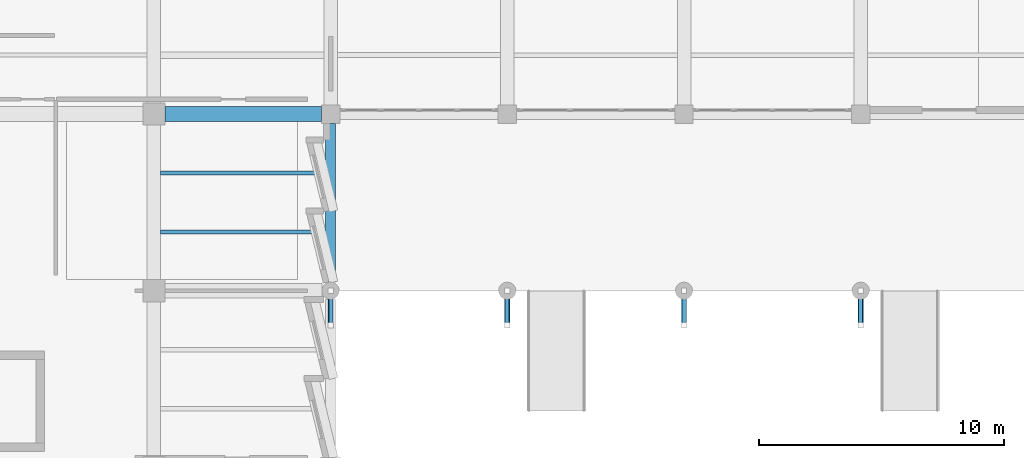
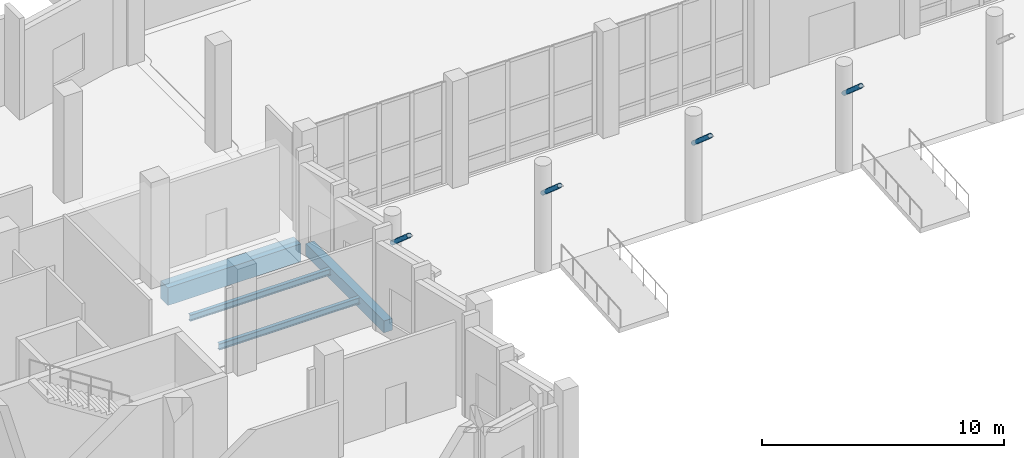
# One storey, part 9 of 137: 4 beams, 4 members.
"""IFC4 building model written with IfcOpenShell, lengths in metres."""

from ifc_helpers import new_model, si_unit, direction, frame, origin, origin_2d, place, context, subcontext, project, spatial, rectangle, hollow_circle, i_section, extrude, material, material_profile, profile_set, type_object, element, save


model = new_model("IFC4")

# Units and contexts
model_context = context("Model", 3, precision=1e-05, world=origin(), true_north=direction((0.0, 1.0)))
body_context = subcontext(model_context, "Body", "Model", "MODEL_VIEW")
ifc_project = project(units=[si_unit("LENGTHUNIT", "METRE"), si_unit("AREAUNIT", "SQUARE_METRE"), si_unit("VOLUMEUNIT", "CUBIC_METRE"), si_unit("PLANEANGLEUNIT", "RADIAN"), si_unit("MASSUNIT", "GRAM", prefix="KILO")], contexts=[model_context])

# Site, building, storey
site_placement = place(None, origin())
site = spatial("IfcSite", under=ifc_project, at=site_placement, CompositionType="ELEMENT")
building_placement = place(site_placement, origin())
building = spatial("IfcBuilding", under=site, at=building_placement, Name="Kalmorath City Hall", CompositionType="ELEMENT")
storey_placement = place(building_placement, origin())
storey = spatial("IfcBuildingStorey", under=building, at=storey_placement, Name="L00", CompositionType="ELEMENT", Elevation=0.0)

# Beams
ifc_material_1 = material(Name="Concrete C40/50", Category="concrete")
ifc_material_profile_1 = material_profile(ifc_material_1, rectangle(XDim=0.39990234375, YDim=0.60009765625, at=origin_2d()), Name="RC-BM-400X600")
ifc_profile_set_1 = profile_set([ifc_material_profile_1], Name="Concrete C40/50")
beam_type_1 = type_object("IfcBeamType", Name="Concrete edge beam 400x600", PredefinedType="SPANDREL", material=ifc_profile_set_1)
beam_1_placement = place(storey_placement, frame((36.0, 14.75, -0.60400390625), z_axis=(0.0, 1.0, 0.0), x_axis=(-1.0, 0.0, 0.0)))
element("IfcBeam", 1, at=beam_1_placement, inside=storey, type_object=beam_type_1, Name="L00 girder CB6 Y6/3-4", PredefinedType="SPANDREL", context=body_context, shape_type="SweptSolid", body=[
    extrude(rectangle(XDim=0.39990234375, YDim=0.60009765625, at=origin_2d()), origin(), (0.0, 0.0, 1.0), 6.47509765625),
])
ifc_material_2 = material(Name="Concrete C40/50", Category="concrete")
ifc_material_profile_2 = material_profile(ifc_material_2, rectangle(XDim=0.60009765625, YDim=0.89990234375, at=origin_2d()), Name="RC-BM-600X900")
ifc_profile_set_2 = profile_set([ifc_material_profile_2], Name="Concrete C40/50")
beam_type_2 = type_object("IfcBeamType", Name="Concrete floor girder 600x900", PredefinedType="BEAM", material=ifc_profile_set_2)
beam_2_placement = place(storey_placement, frame((29.25, 21.60009765625, -0.75390625), z_axis=(1.0, 0.0, 0.0), x_axis=(0.0, 1.0, 0.0)))
element("IfcBeam", 2, at=beam_2_placement, inside=storey, type_object=beam_type_2, Name="L00 girder CB1 X5-6/4", PredefinedType="BEAM", context=body_context, shape_type="SweptSolid", body=[
    extrude(rectangle(XDim=0.60009765625, YDim=0.89990234375, at=origin_2d()), origin(), (0.0, 0.0, 1.0), 6.375),
])

# Members
ifc_material_3 = material(Name="Steel ASTM A500 Grade C", Category="steel")
ifc_material_profile_3 = material_profile(ifc_material_3, hollow_circle(Radius=0.109619140625, WallThickness=0.0087890625, at=origin_2d()), Name="HSS219X9.5")
ifc_profile_set_3 = profile_set([ifc_material_profile_3], Name="Steel ASTM A500 Grade C")
member_type = type_object("IfcMemberType", Name="Steel arcade diagonal strut HSS219X9.5", PredefinedType="BRACE", material=ifc_profile_set_3)
for number, where, z_axis, x_axis, name in (
    (3, (36.0, 14.39990234375, 3.800048828125), (0.0, -0.753894617684, 0.656995361801), (1.0, 0.0, 0.0), "Storm arcade brace strut BR7-1"),
    (4, (43.199951171875, 14.39990234375, 3.800048828125), (0.0, -0.753894617684, 0.656995361801), (1.0, 0.0, 0.0), "Storm arcade brace strut BR7-2"),
    (5, (50.39990234375, 14.39990234375, 3.800048828125), (0.0, -0.753894617684, 0.656995361801), (1.0, 0.0, 0.0), "Storm arcade brace strut BR7-3"),
    (6, (57.60009765625, 14.39990234375, 3.800048828125), (0.0, -0.753894617684, 0.656995361801), (1.0, 0.0, 0.0), "Storm arcade brace strut BR7-4"),
):
    element("IfcMember", number, at=place(storey_placement, frame(where, z_axis=z_axis, x_axis=x_axis)), inside=storey, type_object=member_type, Name=name, PredefinedType="BRACE", context=body_context, shape_type="SweptSolid", body=[
        extrude(hollow_circle(Radius=0.109619140625, WallThickness=0.0087890625, at=origin_2d()), origin(), (0.0, 0.0, 1.0), 1.85693359375),
    ])

# Beams
ifc_material_4 = material(Name="Steel ASTM A992 Grade 50", Category="steel")
ifc_material_profile_4 = material_profile(ifc_material_4, i_section(OverallWidth=0.1669921875, OverallDepth=0.318115234375, WebThickness=0.007568359375, FlangeThickness=0.01318359375, FilletRadius=0.012939453125, at=origin_2d()), Name="W12X35")
ifc_profile_set_4 = profile_set([ifc_material_profile_4], Name="Steel ASTM A992 Grade 50")
beam_type_3 = type_object("IfcBeamType", Name="Steel header lintel W12X35", PredefinedType="LINTEL", material=ifc_profile_set_4)
for number, where, z_axis, x_axis, name in (
    (7, (29.074951171875, 16.800048828125, -0.462890625), (1.0, 0.0, 0.0), (0.0, 1.0, 0.0), "L00 joist SJ13 5.3.1"),
    (8, (29.074951171875, 19.199951171875, -0.462890625), (1.0, 0.0, 0.0), (0.0, 1.0, 0.0), "L00 joist SJ13 5.3.2"),
):
    element("IfcBeam", number, at=place(storey_placement, frame(where, z_axis=z_axis, x_axis=x_axis)), inside=storey, type_object=beam_type_3, Name=name, PredefinedType="LINTEL", context=body_context, shape_type="SweptSolid", body=[
        extrude(i_section(OverallWidth=0.1669921875, OverallDepth=0.318115234375, WebThickness=0.007568359375, FlangeThickness=0.01318359375, FilletRadius=0.012939453125, at=origin_2d()), origin(), (0.0, 0.0, 1.0), 6.72509765625),
    ])

save(model, "model.ifc")
